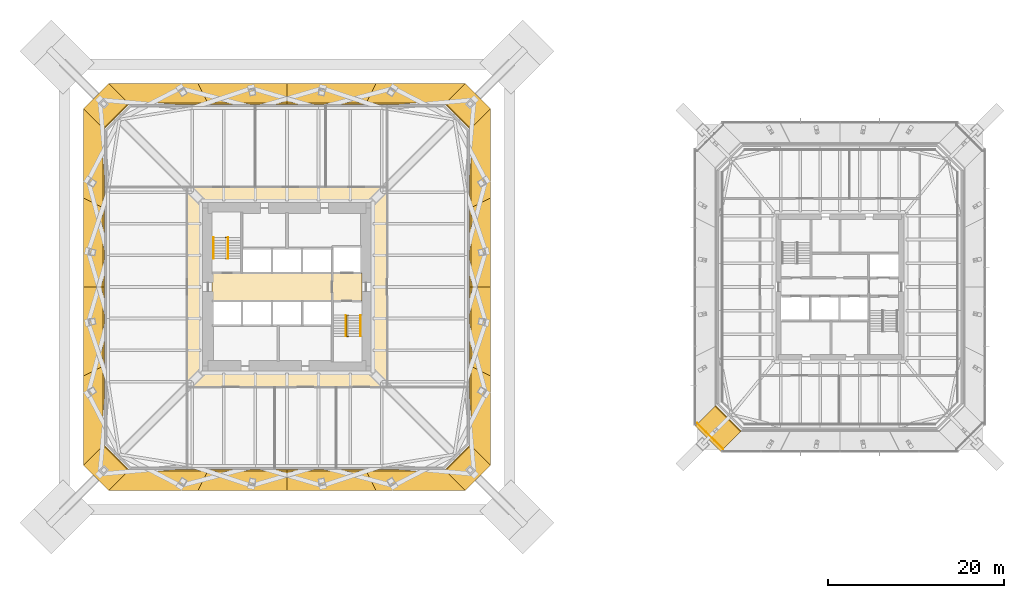
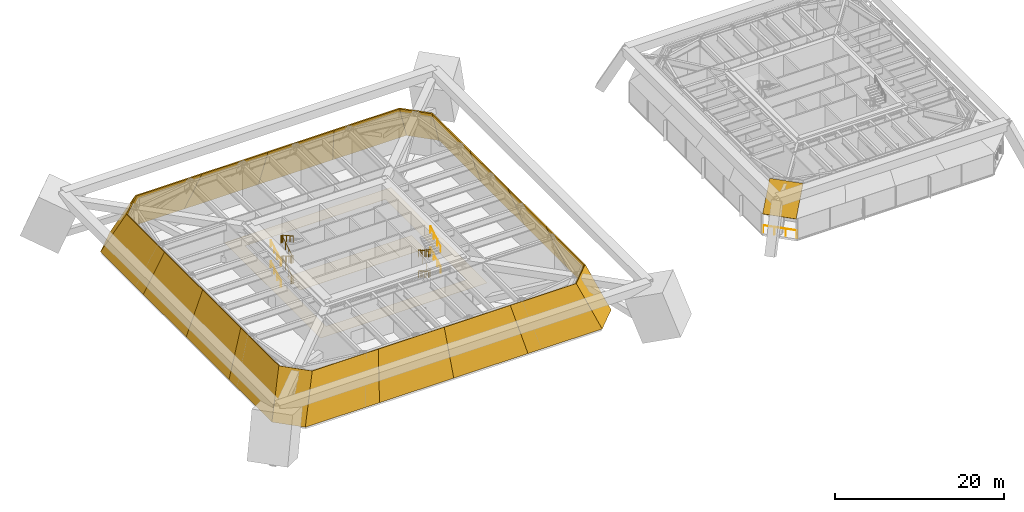
# One storey, part 14 of 16: 21 shading devices, 11 railings, 3 coverings.
"""IFC4 building model written with IfcOpenShell, lengths in metres."""

from ifc_helpers import new_model, si_unit, direction, frame, origin, origin_2d, place, context, subcontext, project, spatial, polyline, circle, outline, extrude, material, layer, layer_set, constituent, constituent_set, type_object, element, save


model = new_model("IFC4")

# Units and contexts
model_context = context("Model", 3, precision=1e-05, world=origin(), true_north=direction((0.0, 1.0)))
body_context = subcontext(model_context, "Body", "Model", "MODEL_VIEW")
ifc_project = project(units=[si_unit("LENGTHUNIT", "METRE"), si_unit("AREAUNIT", "SQUARE_METRE"), si_unit("VOLUMEUNIT", "CUBIC_METRE"), si_unit("PLANEANGLEUNIT", "RADIAN"), si_unit("MASSUNIT", "GRAM", prefix="KILO")], contexts=[model_context])

# Site, building, storey
site_placement = place(None, origin())
site = spatial("IfcSite", under=ifc_project, at=site_placement, CompositionType="ELEMENT")
building_placement = place(site_placement, origin())
building = spatial("IfcBuilding", under=site, at=building_placement, Name="Iwan Alto Co-Living Towers", CompositionType="ELEMENT")
storey_placement = place(building_placement, frame((0.0, 0.0, 74.5)))
storey = spatial("IfcBuildingStorey", under=building, at=storey_placement, Name="L20", CompositionType="ELEMENT", Elevation=74.5)

# Coverings
ifc_material_1 = material(Name="Mineral fibre acoustic tiles on steel grid", Category="steel")
ifc_layer_1 = layer(ifc_material_1, 0.02001953125)
ifc_layer_set_1 = layer_set([ifc_layer_1], Name="ACOUSTIC TILE CEILING 20")
covering_type_1 = type_object("IfcCoveringType", Name="ACOUSTIC TILE CEILING 20", PredefinedType="CEILING", material=ifc_layer_set_1)
covering_1_placement = place(storey_placement, frame((0.0, 0.0, 2.60009765625)))
element("IfcCovering", 1, at=covering_1_placement, inside=storey, type_object=covering_type_1, Name="Ceiling Lift lobby L20", PredefinedType="CEILING", context=body_context, shape_type="SweptSolid", body=[
    extrude(outline(polyline([(-8.550048828125, -1.60009765625), (-8.550048828125, 1.60009765625), (5.14990234375, 1.60009765625), (5.14990234375, -1.60009765625), (-8.550048828125, -1.60009765625)])), origin(), (0.0, 0.0, 1.0), 0.02001953125),
])
covering_2_placement = place(storey_placement, frame((0.0, 0.0, 2.60009765625)))
element("IfcCovering", 2, at=covering_2_placement, inside=storey, type_object=covering_type_1, Name="Ceiling Firefighting lobby L20", PredefinedType="CEILING", context=body_context, shape_type="SweptSolid", body=[
    extrude(outline(polyline([(5.14990234375, -1.60009765625), (5.14990234375, 1.60009765625), (8.550048828125, 1.60009765625), (8.550048828125, -1.60009765625), (5.14990234375, -1.60009765625)])), origin(), (0.0, 0.0, 1.0), 0.02001953125),
])

# Railing
ifc_material_2 = material(Name="Aluminium 6063-T6 bronze anodised", Category="aluminium")
ifc_constituent_1 = constituent(ifc_material_2, Name="Rails and posts", Category="Framing")
ifc_material_3 = material(Name="Laminated toughened glass", Category="glass")
ifc_constituent_2 = constituent(ifc_material_3, Name="Infill", Category="Infill")
ifc_constituent_set_1 = constituent_set(constituents=[ifc_constituent_1, ifc_constituent_2], Name="GUARDRAIL 1100")
railing_type_1 = type_object("IfcRailingType", Name="GUARDRAIL 1100", PredefinedType="GUARDRAIL", material=ifc_constituent_set_1)
railing_1_placement = place(storey_placement, frame((46.753173828125, -15.50830078125, 0.0)))
element("IfcRailing", 3, at=railing_1_placement, inside=storey, type_object=railing_type_1, Name="Guardrail L20", PredefinedType="GUARDRAIL", context=body_context, shape_type="SweptSolid", body=[
    extrude(circle(Radius=0.02392578125, at=origin_2d()), frame((0.0, 0.0, 1.076171875), z_axis=(0.706346797705, -0.70786594873, 0.0), x_axis=(0.70786594873, 0.706346797705, 0.0)), (0.0, 0.0, 1.0), 4.178466796875),
    extrude(circle(Radius=0.02099609375, at=origin_2d()), origin(), (0.0, 0.0, 1.0), 1.052001953125),
    extrude(circle(Radius=0.02099609375, at=origin_2d()), frame((0.98388671875, -0.98583984375, 0.0)), (0.0, 0.0, 1.0), 1.052001953125),
    extrude(circle(Radius=0.02099609375, at=origin_2d()), frame((1.967529296875, -1.971923828125, 0.0)), (0.0, 0.0, 1.0), 1.052001953125),
    extrude(circle(Radius=0.02099609375, at=origin_2d()), frame((2.951416015625, -2.957763671875, 0.0)), (0.0, 0.0, 1.0), 1.052001953125),
])

# Shading devices
ifc_layer_2 = layer(ifc_material_2, 0.10009765625, Name="Louvre blades", Category="Finish")
ifc_material_4 = material(Name="Steel ASTM A36 galvanised frame", Category="steel")
ifc_layer_3 = layer(ifc_material_4, 0.050048828125, Name="Steel frame", Category="Framing")
ifc_layer_set_2 = layer_set([ifc_layer_2, ifc_layer_3], Name="PLANT LOUVRE BAND 150")
shading_device_type = type_object("IfcShadingDeviceType", Name="PLANT LOUVRE BAND 150", PredefinedType="USERDEFINED", material=ifc_layer_set_2)
shading_device_1_placement = place(storey_placement, frame((-20.3115234375, -23.210205078125, 0.0), z_axis=(0.0, -0.936329177569, 0.351123441588), x_axis=(1.0, 0.0, 0.0)))
element("IfcShadingDevice", 4, at=shading_device_1_placement, inside=storey, type_object=shading_device_type, Name="T1 raked louvre band L20 panel 1", ObjectType="LOUVER", PredefinedType="USERDEFINED", context=body_context, shape_type="SweptSolid", body=[
    extrude(outline(polyline([(0.0, 0.0), (10.155761719, 0.0), (11.280761719, 6.408002809), (2.25, 6.408002809), (0.0, 0.0)])), origin(), (0.0, 0.0, -1.0), 0.14990234375),
])
shading_device_2_placement = place(storey_placement, frame((-10.15576171875, -23.210205078125, 0.0), z_axis=(0.0, -0.936329177569, 0.351123441588), x_axis=(1.0, 0.0, 0.0)))
element("IfcShadingDevice", 5, at=shading_device_2_placement, inside=storey, type_object=shading_device_type, Name="T1 raked louvre band L20 panel 2", ObjectType="LOUVER", PredefinedType="USERDEFINED", context=body_context, shape_type="SweptSolid", body=[
    extrude(outline(polyline([(0.0, 0.0), (10.155761719, 0.0), (10.155761719, 6.408002809), (1.125, 6.408002809), (0.0, 0.0)])), origin(), (0.0, 0.0, -1.0), 0.14990234375),
])
shading_device_3_placement = place(storey_placement, frame((0.0, -23.210205078125, 0.0), z_axis=(0.0, -0.936329177569, 0.351123441588), x_axis=(1.0, 0.0, 0.0)))
element("IfcShadingDevice", 6, at=shading_device_3_placement, inside=storey, type_object=shading_device_type, Name="T1 raked louvre band L20 panel 3", ObjectType="LOUVER", PredefinedType="USERDEFINED", context=body_context, shape_type="SweptSolid", body=[
    extrude(outline(polyline([(0.0, 0.0), (10.155761719, 0.0), (9.030761719, 6.408002809), (0.0, 6.408002809), (0.0, 0.0)])), origin(), (0.0, 0.0, -1.0), 0.14990234375),
])
shading_device_4_placement = place(storey_placement, frame((10.15576171875, -23.210205078125, 0.0), z_axis=(0.0, -0.936329177569, 0.351123441588), x_axis=(1.0, 0.0, 0.0)))
element("IfcShadingDevice", 7, at=shading_device_4_placement, inside=storey, type_object=shading_device_type, Name="T1 raked louvre band L20 panel 4", ObjectType="LOUVER", PredefinedType="USERDEFINED", context=body_context, shape_type="SweptSolid", body=[
    extrude(outline(polyline([(0.0, 0.0), (10.155761719, 0.0), (7.905761719, 6.408002809), (-1.125, 6.408002809), (0.0, 0.0)])), origin(), (0.0, 0.0, -1.0), 0.14990234375),
])
shading_device_5_placement = place(storey_placement, frame((20.3115234375, -23.210205078125, 0.0), z_axis=(0.624695047554, -0.624695047554, 0.468521285666), x_axis=(0.707106781187, 0.707106781187, 0.0)))
element("IfcShadingDevice", 8, at=shading_device_5_placement, inside=storey, type_object=shading_device_type, Name="T1 raked louvre band L20 panel 5", ObjectType="LOUVER", PredefinedType="USERDEFINED", context=body_context, shape_type="SweptSolid", body=[
    extrude(outline(polyline([(0.0, 0.0), (4.099354889, 0.0), (4.099354889, 6.791538854), (0.0, 6.791538854), (0.0, 0.0)])), origin(), (0.0, 0.0, -1.0), 0.14990234375),
])
shading_device_6_placement = place(storey_placement, frame((23.210205078125, -20.3115234375, 0.0), z_axis=(0.936329177569, 0.0, 0.351123441588), x_axis=(0.0, 1.0, 0.0)))
element("IfcShadingDevice", 9, at=shading_device_6_placement, inside=storey, type_object=shading_device_type, Name="T1 raked louvre band L20 panel 6", ObjectType="LOUVER", PredefinedType="USERDEFINED", context=body_context, shape_type="SweptSolid", body=[
    extrude(outline(polyline([(0.0, 0.0), (10.155761719, 0.0), (11.280761719, 6.408002809), (2.25, 6.408002809), (0.0, 0.0)])), origin(), (0.0, 0.0, -1.0), 0.14990234375),
])
shading_device_7_placement = place(storey_placement, frame((23.210205078125, -10.15576171875, 0.0), z_axis=(0.936329177569, 0.0, 0.351123441588), x_axis=(0.0, 1.0, 0.0)))
element("IfcShadingDevice", 10, at=shading_device_7_placement, inside=storey, type_object=shading_device_type, Name="T1 raked louvre band L20 panel 7", ObjectType="LOUVER", PredefinedType="USERDEFINED", context=body_context, shape_type="SweptSolid", body=[
    extrude(outline(polyline([(0.0, 0.0), (10.155761719, 0.0), (10.155761719, 6.408002809), (1.125, 6.408002809), (0.0, 0.0)])), origin(), (0.0, 0.0, -1.0), 0.14990234375),
])
shading_device_8_placement = place(storey_placement, frame((23.210205078125, 0.0, 0.0), z_axis=(0.936329177569, 0.0, 0.351123441588), x_axis=(0.0, 1.0, 0.0)))
element("IfcShadingDevice", 11, at=shading_device_8_placement, inside=storey, type_object=shading_device_type, Name="T1 raked louvre band L20 panel 8", ObjectType="LOUVER", PredefinedType="USERDEFINED", context=body_context, shape_type="SweptSolid", body=[
    extrude(outline(polyline([(0.0, 0.0), (10.155761719, 0.0), (9.030761719, 6.408002809), (0.0, 6.408002809), (0.0, 0.0)])), origin(), (0.0, 0.0, -1.0), 0.14990234375),
])
shading_device_9_placement = place(storey_placement, frame((23.210205078125, 10.15576171875, 0.0), z_axis=(0.936329177569, 0.0, 0.351123441588), x_axis=(0.0, 1.0, 0.0)))
element("IfcShadingDevice", 12, at=shading_device_9_placement, inside=storey, type_object=shading_device_type, Name="T1 raked louvre band L20 panel 9", ObjectType="LOUVER", PredefinedType="USERDEFINED", context=body_context, shape_type="SweptSolid", body=[
    extrude(outline(polyline([(0.0, 0.0), (10.155761719, 0.0), (7.905761719, 6.408002809), (-1.125, 6.408002809), (0.0, 0.0)])), origin(), (0.0, 0.0, -1.0), 0.14990234375),
])
shading_device_10_placement = place(storey_placement, frame((23.210205078125, 20.3115234375, 0.0), z_axis=(0.624695047554, 0.624695047554, 0.468521285666), x_axis=(-0.707106781187, 0.707106781187, 0.0)))
element("IfcShadingDevice", 13, at=shading_device_10_placement, inside=storey, type_object=shading_device_type, Name="T1 raked louvre band L20 panel 10", ObjectType="LOUVER", PredefinedType="USERDEFINED", context=body_context, shape_type="SweptSolid", body=[
    extrude(outline(polyline([(0.0, 0.0), (4.099354889, 0.0), (4.099354889, 6.791538854), (0.0, 6.791538854), (0.0, 0.0)])), origin(), (0.0, 0.0, -1.0), 0.14990234375),
])
shading_device_11_placement = place(storey_placement, frame((20.3115234375, 23.210205078125, 0.0), z_axis=(0.0, 0.936329177569, 0.351123441588), x_axis=(-1.0, 0.0, 0.0)))
element("IfcShadingDevice", 14, at=shading_device_11_placement, inside=storey, type_object=shading_device_type, Name="T1 raked louvre band L20 panel 11", ObjectType="LOUVER", PredefinedType="USERDEFINED", context=body_context, shape_type="SweptSolid", body=[
    extrude(outline(polyline([(0.0, 0.0), (10.155761719, 0.0), (11.280761719, 6.408002809), (2.25, 6.408002809), (0.0, 0.0)])), origin(), (0.0, 0.0, -1.0), 0.14990234375),
])
shading_device_12_placement = place(storey_placement, frame((10.15576171875, 23.210205078125, 0.0), z_axis=(0.0, 0.936329177569, 0.351123441588), x_axis=(-1.0, 0.0, 0.0)))
element("IfcShadingDevice", 15, at=shading_device_12_placement, inside=storey, type_object=shading_device_type, Name="T1 raked louvre band L20 panel 12", ObjectType="LOUVER", PredefinedType="USERDEFINED", context=body_context, shape_type="SweptSolid", body=[
    extrude(outline(polyline([(0.0, 0.0), (10.155761719, 0.0), (10.155761719, 6.408002809), (1.125, 6.408002809), (0.0, 0.0)])), origin(), (0.0, 0.0, -1.0), 0.14990234375),
])
shading_device_13_placement = place(storey_placement, frame((0.0, 23.210205078125, 0.0), z_axis=(0.0, 0.936329177569, 0.351123441588), x_axis=(-1.0, 0.0, 0.0)))
element("IfcShadingDevice", 16, at=shading_device_13_placement, inside=storey, type_object=shading_device_type, Name="T1 raked louvre band L20 panel 13", ObjectType="LOUVER", PredefinedType="USERDEFINED", context=body_context, shape_type="SweptSolid", body=[
    extrude(outline(polyline([(0.0, 0.0), (10.155761719, 0.0), (9.030761719, 6.408002809), (0.0, 6.408002809), (0.0, 0.0)])), origin(), (0.0, 0.0, -1.0), 0.14990234375),
])
shading_device_14_placement = place(storey_placement, frame((-10.15576171875, 23.210205078125, 0.0), z_axis=(0.0, 0.936329177569, 0.351123441588), x_axis=(-1.0, 0.0, 0.0)))
element("IfcShadingDevice", 17, at=shading_device_14_placement, inside=storey, type_object=shading_device_type, Name="T1 raked louvre band L20 panel 14", ObjectType="LOUVER", PredefinedType="USERDEFINED", context=body_context, shape_type="SweptSolid", body=[
    extrude(outline(polyline([(0.0, 0.0), (10.155761719, 0.0), (7.905761719, 6.408002809), (-1.125, 6.408002809), (0.0, 0.0)])), origin(), (0.0, 0.0, -1.0), 0.14990234375),
])
shading_device_15_placement = place(storey_placement, frame((-20.3115234375, 23.210205078125, 0.0), z_axis=(-0.624695047554, 0.624695047554, 0.468521285666), x_axis=(-0.707106781187, -0.707106781187, 0.0)))
element("IfcShadingDevice", 18, at=shading_device_15_placement, inside=storey, type_object=shading_device_type, Name="T1 raked louvre band L20 panel 15", ObjectType="LOUVER", PredefinedType="USERDEFINED", context=body_context, shape_type="SweptSolid", body=[
    extrude(outline(polyline([(0.0, 0.0), (4.099354889, 0.0), (4.099354889, 6.791538854), (0.0, 6.791538854), (0.0, 0.0)])), origin(), (0.0, 0.0, -1.0), 0.14990234375),
])
shading_device_16_placement = place(storey_placement, frame((-23.210205078125, 20.3115234375, 0.0), z_axis=(-0.936329177569, 0.0, 0.351123441588), x_axis=(0.0, -1.0, 0.0)))
element("IfcShadingDevice", 19, at=shading_device_16_placement, inside=storey, type_object=shading_device_type, Name="T1 raked louvre band L20 panel 16", ObjectType="LOUVER", PredefinedType="USERDEFINED", context=body_context, shape_type="SweptSolid", body=[
    extrude(outline(polyline([(0.0, 0.0), (10.155761719, 0.0), (11.280761719, 6.408002809), (2.25, 6.408002809), (0.0, 0.0)])), origin(), (0.0, 0.0, -1.0), 0.14990234375),
])
shading_device_17_placement = place(storey_placement, frame((-23.210205078125, 10.15576171875, 0.0), z_axis=(-0.936329177569, 0.0, 0.351123441588), x_axis=(0.0, -1.0, 0.0)))
element("IfcShadingDevice", 20, at=shading_device_17_placement, inside=storey, type_object=shading_device_type, Name="T1 raked louvre band L20 panel 17", ObjectType="LOUVER", PredefinedType="USERDEFINED", context=body_context, shape_type="SweptSolid", body=[
    extrude(outline(polyline([(0.0, 0.0), (10.155761719, 0.0), (10.155761719, 6.408002809), (1.125, 6.408002809), (0.0, 0.0)])), origin(), (0.0, 0.0, -1.0), 0.14990234375),
])
shading_device_18_placement = place(storey_placement, frame((-23.210205078125, 0.0, 0.0), z_axis=(-0.936329177569, 0.0, 0.351123441588), x_axis=(0.0, -1.0, 0.0)))
element("IfcShadingDevice", 21, at=shading_device_18_placement, inside=storey, type_object=shading_device_type, Name="T1 raked louvre band L20 panel 18", ObjectType="LOUVER", PredefinedType="USERDEFINED", context=body_context, shape_type="SweptSolid", body=[
    extrude(outline(polyline([(0.0, 0.0), (10.155761719, 0.0), (9.030761719, 6.408002809), (0.0, 6.408002809), (0.0, 0.0)])), origin(), (0.0, 0.0, -1.0), 0.14990234375),
])
shading_device_19_placement = place(storey_placement, frame((-23.210205078125, -10.15576171875, 0.0), z_axis=(-0.936329177569, 0.0, 0.351123441588), x_axis=(0.0, -1.0, 0.0)))
element("IfcShadingDevice", 22, at=shading_device_19_placement, inside=storey, type_object=shading_device_type, Name="T1 raked louvre band L20 panel 19", ObjectType="LOUVER", PredefinedType="USERDEFINED", context=body_context, shape_type="SweptSolid", body=[
    extrude(outline(polyline([(0.0, 0.0), (10.155761719, 0.0), (7.905761719, 6.408002809), (-1.125, 6.408002809), (0.0, 0.0)])), origin(), (0.0, 0.0, -1.0), 0.14990234375),
])
shading_device_20_placement = place(storey_placement, frame((-23.210205078125, -20.3115234375, 0.0), z_axis=(-0.624695047554, -0.624695047554, 0.468521285666), x_axis=(0.707106781187, -0.707106781187, 0.0)))
element("IfcShadingDevice", 23, at=shading_device_20_placement, inside=storey, type_object=shading_device_type, Name="T1 raked louvre band L20 panel 20", ObjectType="LOUVER", PredefinedType="USERDEFINED", context=body_context, shape_type="SweptSolid", body=[
    extrude(outline(polyline([(0.0, 0.0), (4.099354889, 0.0), (4.099354889, 6.791538854), (0.0, 6.791538854), (0.0, 0.0)])), origin(), (0.0, 0.0, -1.0), 0.14990234375),
])
shading_device_21_placement = place(storey_placement, frame((46.512451171875, -15.827392578125, 3.0), z_axis=(-0.485071250073, -0.485071250073, 0.727606875109), x_axis=(0.707106781187, -0.707106781187, 0.0)))
element("IfcShadingDevice", 24, at=shading_device_21_placement, inside=storey, type_object=shading_device_type, Name="T2 raked louvre band L20 panel 20", ObjectType="LOUVER", PredefinedType="USERDEFINED", context=body_context, shape_type="SweptSolid", body=[
    extrude(outline(polyline([(0.0, 0.0), (4.115582437, 0.0), (4.115582437, 4.373213921), (0.0, 4.373213921), (0.0, 0.0)])), origin(), (0.0, 0.0, -1.0), 0.14990234375),
])

# Railings
ifc_material_5 = material(Name="Steel ASTM A500 Gr C", Category="steel")
ifc_constituent_3 = constituent(ifc_material_5, Name="Rails and posts", Category="Framing")
ifc_material_6 = material(Name="Steel ASTM A36", Category="steel")
ifc_constituent_4 = constituent(ifc_material_6, Name="Bar infill", Category="Infill")
ifc_constituent_set_2 = constituent_set(constituents=[ifc_constituent_3, ifc_constituent_4], Name="STAIR GUARD 1100")
railing_type_2 = type_object("IfcRailingType", Name="STAIR GUARD 1100", PredefinedType="GUARDRAIL", material=ifc_constituent_set_2)
railing_2_placement = place(storey_placement, frame((-6.85009765625, 3.219970703125, 0.0)))
element("IfcRailing", 25, at=railing_2_placement, inside=storey, type_object=railing_type_2, Name="Stair T1-S1 well guard L20", PredefinedType="GUARDRAIL", context=body_context, shape_type="SweptSolid", body=[
    extrude(circle(Radius=0.02392578125, at=origin_2d()), frame((0.0, 0.0, 1.076171875), z_axis=(0.0, 0.84801284173, 0.529975678933), x_axis=(-1.0, 0.0, 0.0)), (0.0, 0.0, 1.0), 2.830322265625),
    extrude(circle(Radius=0.02392578125, at=origin_2d()), frame((0.0, 2.400146484375, 2.576171875), z_axis=(0.0, -0.84801284173, 0.529975678933), x_axis=(1.0, 0.0, 0.0)), (0.0, 0.0, 1.0), 2.830322265625),
    extrude(circle(Radius=0.02392578125, at=origin_2d()), frame((0.0, 0.0, 4.076171875), z_axis=(0.0, 0.84801284173, 0.529975678933), x_axis=(-1.0, 0.0, 0.0)), (0.0, 0.0, 1.0), 2.830322265625),
    extrude(circle(Radius=0.02392578125, at=origin_2d()), frame((-0.14990234375, 0.0, 1.076171875), z_axis=(1.0, 0.0, 0.0), x_axis=(0.0, 1.0, 0.0)), (0.0, 0.0, 1.0), 0.300048828125),
    extrude(circle(Radius=0.02392578125, at=origin_2d()), frame((-0.14990234375, 2.400146484375, 2.576171875), z_axis=(1.0, 0.0, 0.0), x_axis=(0.0, 1.0, 0.0)), (0.0, 0.0, 1.0), 0.300048828125),
    extrude(circle(Radius=0.02392578125, at=origin_2d()), frame((-0.14990234375, 0.0, 4.076171875), z_axis=(1.0, 0.0, 0.0), x_axis=(0.0, 1.0, 0.0)), (0.0, 0.0, 1.0), 0.300048828125),
    extrude(circle(Radius=0.02392578125, at=origin_2d()), frame((-0.14990234375, 2.400146484375, 5.576171875), z_axis=(1.0, 0.0, 0.0), x_axis=(0.0, 1.0, 0.0)), (0.0, 0.0, 1.0), 0.300048828125),
    extrude(circle(Radius=0.02099609375, at=origin_2d()), origin(), (0.0, 0.0, 1.0), 1.052001953125),
    extrude(circle(Radius=0.02099609375, at=origin_2d()), frame((0.0, 0.800048828125, 0.5)), (0.0, 0.0, 1.0), 1.052001953125),
    extrude(circle(Radius=0.02099609375, at=origin_2d()), frame((0.0, 1.60009765625, 1.0)), (0.0, 0.0, 1.0), 1.052001953125),
    extrude(circle(Radius=0.02099609375, at=origin_2d()), frame((0.0, 2.400146484375, 1.5)), (0.0, 0.0, 1.0), 1.052001953125),
    extrude(circle(Radius=0.02099609375, at=origin_2d()), frame((0.0, 1.60009765625, 2.0)), (0.0, 0.0, 1.0), 1.052001953125),
    extrude(circle(Radius=0.02099609375, at=origin_2d()), frame((0.0, 0.800048828125, 2.5)), (0.0, 0.0, 1.0), 1.052001953125),
    extrude(circle(Radius=0.02099609375, at=origin_2d()), frame((0.0, 0.0, 3.0)), (0.0, 0.0, 1.0), 1.052001953125),
    extrude(circle(Radius=0.02099609375, at=origin_2d()), frame((0.0, 0.800048828125, 3.5)), (0.0, 0.0, 1.0), 1.052001953125),
    extrude(circle(Radius=0.02099609375, at=origin_2d()), frame((0.0, 1.60009765625, 4.0)), (0.0, 0.0, 1.0), 1.052001953125),
    extrude(circle(Radius=0.02099609375, at=origin_2d()), frame((0.0, 2.400146484375, 4.5)), (0.0, 0.0, 1.0), 1.052001953125),
    extrude(circle(Radius=0.02099609375, at=origin_2d()), frame((-0.14990234375, 0.0, 0.0)), (0.0, 0.0, 1.0), 1.052001953125),
    extrude(circle(Radius=0.02099609375, at=origin_2d()), frame((0.150146484375, 0.0, 0.0)), (0.0, 0.0, 1.0), 1.052001953125),
    extrude(circle(Radius=0.02099609375, at=origin_2d()), frame((-0.14990234375, 2.400146484375, 1.5)), (0.0, 0.0, 1.0), 1.052001953125),
    extrude(circle(Radius=0.02099609375, at=origin_2d()), frame((0.150146484375, 2.400146484375, 1.5)), (0.0, 0.0, 1.0), 1.052001953125),
    extrude(circle(Radius=0.02099609375, at=origin_2d()), frame((-0.14990234375, 0.0, 3.0)), (0.0, 0.0, 1.0), 1.052001953125),
    extrude(circle(Radius=0.02099609375, at=origin_2d()), frame((0.150146484375, 0.0, 3.0)), (0.0, 0.0, 1.0), 1.052001953125),
    extrude(circle(Radius=0.02099609375, at=origin_2d()), frame((-0.14990234375, 2.400146484375, 4.5)), (0.0, 0.0, 1.0), 1.052001953125),
    extrude(circle(Radius=0.02099609375, at=origin_2d()), frame((0.150146484375, 2.400146484375, 4.5)), (0.0, 0.0, 1.0), 1.052001953125),
])
railing_3_placement = place(storey_placement, frame((6.85009765625, -3.219970703125, 0.0)))
element("IfcRailing", 26, at=railing_3_placement, inside=storey, type_object=railing_type_2, Name="Stair T1-S2 well guard L20", PredefinedType="GUARDRAIL", context=body_context, shape_type="SweptSolid", body=[
    extrude(circle(Radius=0.02392578125, at=origin_2d()), frame((0.0, 0.0, 1.076171875), z_axis=(0.0, -0.84801284173, 0.529975678933), x_axis=(1.0, 0.0, 0.0)), (0.0, 0.0, 1.0), 2.830322265625),
    extrude(circle(Radius=0.02392578125, at=origin_2d()), frame((0.0, -2.400146484375, 2.576171875), z_axis=(0.0, 0.84801284173, 0.529975678933), x_axis=(-1.0, 0.0, 0.0)), (0.0, 0.0, 1.0), 2.830322265625),
    extrude(circle(Radius=0.02392578125, at=origin_2d()), frame((0.0, 0.0, 4.076171875), z_axis=(0.0, -0.84801284173, 0.529975678933), x_axis=(1.0, 0.0, 0.0)), (0.0, 0.0, 1.0), 2.830322265625),
    extrude(circle(Radius=0.02392578125, at=origin_2d()), frame((-0.150146484375, 0.0, 1.076171875), z_axis=(1.0, 0.0, 0.0), x_axis=(0.0, 1.0, 0.0)), (0.0, 0.0, 1.0), 0.300048828125),
    extrude(circle(Radius=0.02392578125, at=origin_2d()), frame((-0.150146484375, -2.400146484375, 2.576171875), z_axis=(1.0, 0.0, 0.0), x_axis=(0.0, 1.0, 0.0)), (0.0, 0.0, 1.0), 0.300048828125),
    extrude(circle(Radius=0.02392578125, at=origin_2d()), frame((-0.150146484375, 0.0, 4.076171875), z_axis=(1.0, 0.0, 0.0), x_axis=(0.0, 1.0, 0.0)), (0.0, 0.0, 1.0), 0.300048828125),
    extrude(circle(Radius=0.02392578125, at=origin_2d()), frame((-0.150146484375, -2.400146484375, 5.576171875), z_axis=(1.0, 0.0, 0.0), x_axis=(0.0, 1.0, 0.0)), (0.0, 0.0, 1.0), 0.300048828125),
    extrude(circle(Radius=0.02099609375, at=origin_2d()), origin(), (0.0, 0.0, 1.0), 1.052001953125),
    extrude(circle(Radius=0.02099609375, at=origin_2d()), frame((0.0, -0.800048828125, 0.5)), (0.0, 0.0, 1.0), 1.052001953125),
    extrude(circle(Radius=0.02099609375, at=origin_2d()), frame((0.0, -1.60009765625, 1.0)), (0.0, 0.0, 1.0), 1.052001953125),
    extrude(circle(Radius=0.02099609375, at=origin_2d()), frame((0.0, -2.400146484375, 1.5)), (0.0, 0.0, 1.0), 1.052001953125),
    extrude(circle(Radius=0.02099609375, at=origin_2d()), frame((0.0, -1.60009765625, 2.0)), (0.0, 0.0, 1.0), 1.052001953125),
    extrude(circle(Radius=0.02099609375, at=origin_2d()), frame((0.0, -0.800048828125, 2.5)), (0.0, 0.0, 1.0), 1.052001953125),
    extrude(circle(Radius=0.02099609375, at=origin_2d()), frame((0.0, 0.0, 3.0)), (0.0, 0.0, 1.0), 1.052001953125),
    extrude(circle(Radius=0.02099609375, at=origin_2d()), frame((0.0, -0.800048828125, 3.5)), (0.0, 0.0, 1.0), 1.052001953125),
    extrude(circle(Radius=0.02099609375, at=origin_2d()), frame((0.0, -1.60009765625, 4.0)), (0.0, 0.0, 1.0), 1.052001953125),
    extrude(circle(Radius=0.02099609375, at=origin_2d()), frame((0.0, -2.400146484375, 4.5)), (0.0, 0.0, 1.0), 1.052001953125),
    extrude(circle(Radius=0.02099609375, at=origin_2d()), frame((-0.150146484375, 0.0, 0.0)), (0.0, 0.0, 1.0), 1.052001953125),
    extrude(circle(Radius=0.02099609375, at=origin_2d()), frame((0.14990234375, 0.0, 0.0)), (0.0, 0.0, 1.0), 1.052001953125),
    extrude(circle(Radius=0.02099609375, at=origin_2d()), frame((-0.150146484375, -2.400146484375, 1.5)), (0.0, 0.0, 1.0), 1.052001953125),
    extrude(circle(Radius=0.02099609375, at=origin_2d()), frame((0.14990234375, -2.400146484375, 1.5)), (0.0, 0.0, 1.0), 1.052001953125),
    extrude(circle(Radius=0.02099609375, at=origin_2d()), frame((-0.150146484375, 0.0, 3.0)), (0.0, 0.0, 1.0), 1.052001953125),
    extrude(circle(Radius=0.02099609375, at=origin_2d()), frame((0.14990234375, 0.0, 3.0)), (0.0, 0.0, 1.0), 1.052001953125),
    extrude(circle(Radius=0.02099609375, at=origin_2d()), frame((-0.150146484375, -2.400146484375, 4.5)), (0.0, 0.0, 1.0), 1.052001953125),
    extrude(circle(Radius=0.02099609375, at=origin_2d()), frame((0.14990234375, -2.400146484375, 4.5)), (0.0, 0.0, 1.0), 1.052001953125),
])
ifc_material_7 = material(Name="Steel ASTM A500 Gr C", Category="steel")
railing_type_3 = type_object("IfcRailingType", Name="STAIR HANDRAIL 900", PredefinedType="HANDRAIL", material=ifc_material_7)
railing_4_placement = place(storey_placement, frame((-8.3798828125, 3.219970703125, 0.166748046875)))
element("IfcRailing", 27, at=railing_4_placement, inside=storey, type_object=railing_type_3, Name="Stair T1-S1 handrail 1 L20", PredefinedType="HANDRAIL", context=body_context, shape_type="SweptSolid", body=[
    extrude(circle(Radius=0.02392578125, at=origin_2d()), frame((0.0, 0.0, 0.8759765625), z_axis=(0.0, 0.874182441271, 0.485597631145), x_axis=(-1.0, 0.0, 0.0)), (0.0, 0.0, 1.0), 2.74560546875),
    extrude(circle(Radius=0.02099609375, at=origin_2d()), origin(), (0.0, 0.0, 1.0), 0.851806640625),
    extrude(circle(Radius=0.02099609375, at=origin_2d()), frame((0.0, 0.800048828125, 0.4443359375)), (0.0, 0.0, 1.0), 0.851806640625),
    extrude(circle(Radius=0.02099609375, at=origin_2d()), frame((0.0, 1.60009765625, 0.888916015625)), (0.0, 0.0, 1.0), 0.851806640625),
    extrude(circle(Radius=0.02099609375, at=origin_2d()), frame((0.0, 2.400146484375, 1.333251953125)), (0.0, 0.0, 1.0), 0.851806640625),
])
railing_5_placement = place(storey_placement, frame((-6.699951171875, 5.6201171875, 1.666748046875)))
element("IfcRailing", 28, at=railing_5_placement, inside=storey, type_object=railing_type_3, Name="Stair T1-S1 handrail 2 L20", PredefinedType="HANDRAIL", context=body_context, shape_type="SweptSolid", body=[
    extrude(circle(Radius=0.02392578125, at=origin_2d()), frame((0.0, 0.0, 0.8759765625), z_axis=(0.0, -0.874182441271, 0.485597631145), x_axis=(1.0, 0.0, 0.0)), (0.0, 0.0, 1.0), 2.74560546875),
    extrude(circle(Radius=0.02099609375, at=origin_2d()), origin(), (0.0, 0.0, 1.0), 0.851806640625),
    extrude(circle(Radius=0.02099609375, at=origin_2d()), frame((0.0, -0.800048828125, 0.4443359375)), (0.0, 0.0, 1.0), 0.851806640625),
    extrude(circle(Radius=0.02099609375, at=origin_2d()), frame((0.0, -1.60009765625, 0.888916015625)), (0.0, 0.0, 1.0), 0.851806640625),
    extrude(circle(Radius=0.02099609375, at=origin_2d()), frame((0.0, -2.400146484375, 1.333251953125)), (0.0, 0.0, 1.0), 0.851806640625),
])
railing_6_placement = place(storey_placement, frame((-8.3798828125, 3.219970703125, 3.166748046875)))
element("IfcRailing", 29, at=railing_6_placement, inside=storey, type_object=railing_type_3, Name="Stair T1-S1 handrail 3 L20", PredefinedType="HANDRAIL", context=body_context, shape_type="SweptSolid", body=[
    extrude(circle(Radius=0.02392578125, at=origin_2d()), frame((0.0, 0.0, 0.8759765625), z_axis=(0.0, 0.874182441271, 0.485597631145), x_axis=(-1.0, 0.0, 0.0)), (0.0, 0.0, 1.0), 2.74560546875),
    extrude(circle(Radius=0.02099609375, at=origin_2d()), origin(), (0.0, 0.0, 1.0), 0.851806640625),
    extrude(circle(Radius=0.02099609375, at=origin_2d()), frame((0.0, 0.800048828125, 0.4443359375)), (0.0, 0.0, 1.0), 0.851806640625),
    extrude(circle(Radius=0.02099609375, at=origin_2d()), frame((0.0, 1.60009765625, 0.888916015625)), (0.0, 0.0, 1.0), 0.851806640625),
    extrude(circle(Radius=0.02099609375, at=origin_2d()), frame((0.0, 2.400146484375, 1.333251953125)), (0.0, 0.0, 1.0), 0.851806640625),
])
for number, where, name in (
    (30, (-6.699951171875, 5.6201171875, 4.666748046875), "Stair T1-S1 handrail 4 L20"),
    (31, (6.699951171875, -3.219970703125, 0.166748046875), "Stair T1-S2 handrail 1 L20"),
):
    element("IfcRailing", number, at=place(storey_placement, frame(where)), inside=storey, type_object=railing_type_3, Name=name, PredefinedType="HANDRAIL", context=body_context, shape_type="SweptSolid", body=[
        extrude(circle(Radius=0.02392578125, at=origin_2d()), frame((0.0, 0.0, 0.8759765625), z_axis=(0.0, -0.874182441271, 0.485597631145), x_axis=(1.0, 0.0, 0.0)), (0.0, 0.0, 1.0), 2.74560546875),
        extrude(circle(Radius=0.02099609375, at=origin_2d()), origin(), (0.0, 0.0, 1.0), 0.851806640625),
        extrude(circle(Radius=0.02099609375, at=origin_2d()), frame((0.0, -0.800048828125, 0.4443359375)), (0.0, 0.0, 1.0), 0.851806640625),
        extrude(circle(Radius=0.02099609375, at=origin_2d()), frame((0.0, -1.60009765625, 0.888916015625)), (0.0, 0.0, 1.0), 0.851806640625),
        extrude(circle(Radius=0.02099609375, at=origin_2d()), frame((0.0, -2.400146484375, 1.333251953125)), (0.0, 0.0, 1.0), 0.851806640625),
    ])
railing_7_placement = place(storey_placement, frame((8.3798828125, -5.6201171875, 1.666748046875)))
element("IfcRailing", 32, at=railing_7_placement, inside=storey, type_object=railing_type_3, Name="Stair T1-S2 handrail 2 L20", PredefinedType="HANDRAIL", context=body_context, shape_type="SweptSolid", body=[
    extrude(circle(Radius=0.02392578125, at=origin_2d()), frame((0.0, 0.0, 0.8759765625), z_axis=(0.0, 0.874182441271, 0.485597631145), x_axis=(-1.0, 0.0, 0.0)), (0.0, 0.0, 1.0), 2.74560546875),
    extrude(circle(Radius=0.02099609375, at=origin_2d()), origin(), (0.0, 0.0, 1.0), 0.851806640625),
    extrude(circle(Radius=0.02099609375, at=origin_2d()), frame((0.0, 0.800048828125, 0.4443359375)), (0.0, 0.0, 1.0), 0.851806640625),
    extrude(circle(Radius=0.02099609375, at=origin_2d()), frame((0.0, 1.60009765625, 0.888916015625)), (0.0, 0.0, 1.0), 0.851806640625),
    extrude(circle(Radius=0.02099609375, at=origin_2d()), frame((0.0, 2.400146484375, 1.333251953125)), (0.0, 0.0, 1.0), 0.851806640625),
])
railing_8_placement = place(storey_placement, frame((6.699951171875, -3.219970703125, 3.166748046875)))
element("IfcRailing", 33, at=railing_8_placement, inside=storey, type_object=railing_type_3, Name="Stair T1-S2 handrail 3 L20", PredefinedType="HANDRAIL", context=body_context, shape_type="SweptSolid", body=[
    extrude(circle(Radius=0.02392578125, at=origin_2d()), frame((0.0, 0.0, 0.8759765625), z_axis=(0.0, -0.874182441271, 0.485597631145), x_axis=(1.0, 0.0, 0.0)), (0.0, 0.0, 1.0), 2.74560546875),
    extrude(circle(Radius=0.02099609375, at=origin_2d()), origin(), (0.0, 0.0, 1.0), 0.851806640625),
    extrude(circle(Radius=0.02099609375, at=origin_2d()), frame((0.0, -0.800048828125, 0.4443359375)), (0.0, 0.0, 1.0), 0.851806640625),
    extrude(circle(Radius=0.02099609375, at=origin_2d()), frame((0.0, -1.60009765625, 0.888916015625)), (0.0, 0.0, 1.0), 0.851806640625),
    extrude(circle(Radius=0.02099609375, at=origin_2d()), frame((0.0, -2.400146484375, 1.333251953125)), (0.0, 0.0, 1.0), 0.851806640625),
])
railing_9_placement = place(storey_placement, frame((8.3798828125, -5.6201171875, 4.666748046875)))
element("IfcRailing", 34, at=railing_9_placement, inside=storey, type_object=railing_type_3, Name="Stair T1-S2 handrail 4 L20", PredefinedType="HANDRAIL", context=body_context, shape_type="SweptSolid", body=[
    extrude(circle(Radius=0.02392578125, at=origin_2d()), frame((0.0, 0.0, 0.8759765625), z_axis=(0.0, 0.874182441271, 0.485597631145), x_axis=(-1.0, 0.0, 0.0)), (0.0, 0.0, 1.0), 2.74560546875),
    extrude(circle(Radius=0.02099609375, at=origin_2d()), origin(), (0.0, 0.0, 1.0), 0.851806640625),
    extrude(circle(Radius=0.02099609375, at=origin_2d()), frame((0.0, 0.800048828125, 0.4443359375)), (0.0, 0.0, 1.0), 0.851806640625),
    extrude(circle(Radius=0.02099609375, at=origin_2d()), frame((0.0, 1.60009765625, 0.888916015625)), (0.0, 0.0, 1.0), 0.851806640625),
    extrude(circle(Radius=0.02099609375, at=origin_2d()), frame((0.0, 2.400146484375, 1.333251953125)), (0.0, 0.0, 1.0), 0.851806640625),
])

# Covering
ifc_material_8 = material(Name="Gypsum plasterboard on steel grid", Category="steel")
ifc_layer_4 = layer(ifc_material_8, 0.014892578125)
ifc_layer_set_3 = layer_set([ifc_layer_4], Name="SUSPENDED PLASTERBOARD CEILING 15")
covering_type_2 = type_object("IfcCoveringType", Name="SUSPENDED PLASTERBOARD CEILING 15", PredefinedType="CEILING", material=ifc_layer_set_3)
covering_3_placement = place(storey_placement, frame((0.0, 0.0, 2.60009765625)))
element("IfcCovering", 35, at=covering_3_placement, inside=storey, type_object=covering_type_2, Name="Ceiling Corridor L20", PredefinedType="CEILING", context=body_context, shape_type="SweptSolid", body=[
    extrude(outline(polyline([(-11.39990234375, 11.39990234375), (11.39990234375, 11.39990234375), (11.39990234375, -11.39990234375), (-11.39990234375, -11.39990234375), (-11.39990234375, 11.39990234375)]), holes=[polyline([(-9.60009765625, 9.60009765625), (-9.60009765625, -9.60009765625), (9.60009765625, -9.60009765625), (9.60009765625, 9.60009765625), (-9.60009765625, 9.60009765625)])]), origin(), (0.0, 0.0, 1.0), 0.014892578125),
])

save(model, "model.ifc")
